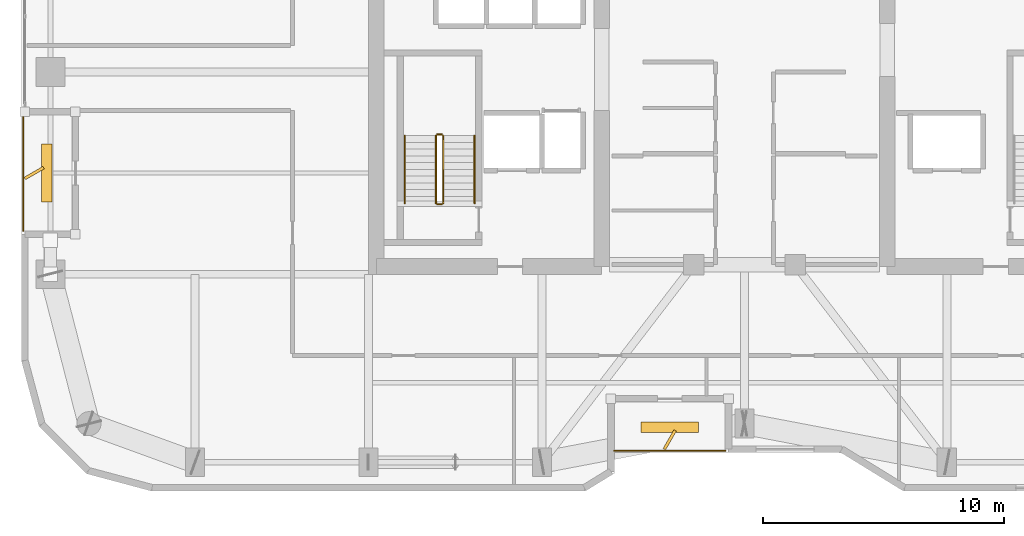
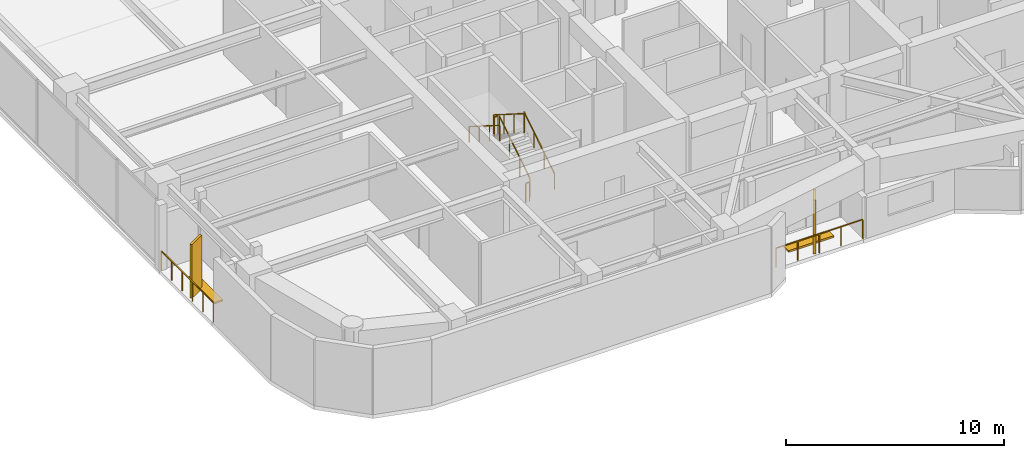
# One storey, part 28 of 30: 8 railings, 4 shading devices.
"""IFC4 building model written with IfcOpenShell, lengths in metres."""

from ifc_helpers import new_model, si_unit, direction, frame, origin, origin_2d, place, context, subcontext, project, spatial, rectangle, extrude, material, type_object, element, save


model = new_model("IFC4")

# Units and contexts
model_context = context("Model", 3, precision=1e-05, world=origin(), true_north=direction((0.0, 1.0)))
body_context = subcontext(model_context, "Body", "Model", "MODEL_VIEW")
ifc_project = project(units=[si_unit("LENGTHUNIT", "METRE"), si_unit("AREAUNIT", "SQUARE_METRE"), si_unit("VOLUMEUNIT", "CUBIC_METRE"), si_unit("PLANEANGLEUNIT", "RADIAN"), si_unit("MASSUNIT", "GRAM", prefix="KILO")], contexts=[model_context])

# Site, building, storey
site_placement = place(None, origin())
site = spatial("IfcSite", under=ifc_project, at=site_placement, CompositionType="ELEMENT")
building_placement = place(site_placement, origin())
building = spatial("IfcBuilding", under=site, at=building_placement, Name="Kiyonajd Concourse Tower", CompositionType="ELEMENT")
storey_placement = place(building_placement, frame((0.0, 0.0, 198.0)))
storey = spatial("IfcBuildingStorey", under=building, at=storey_placement, Name="L50", CompositionType="ELEMENT", Elevation=198.0)

# Railings
ifc_material_1 = material(Name="Thermally Broken Anodised Aluminium", Category="aluminium")
railing_type_1 = type_object("IfcRailingType", Name="RL-GRD-LOG", PredefinedType="GUARDRAIL", material=ifc_material_1)
railing_1_placement = place(storey_placement, frame((42.60009765625, 20.280029296875, 0.0)))
element("IfcRailing", 1, at=railing_1_placement, inside=storey, type_object=railing_type_1, Name="L50 Engawa Loggia Perimeter Guard LOG-S", PredefinedType="GUARDRAIL", context=body_context, shape_type="SweptSolid", body=[
    extrude(rectangle(XDim=0.048095703125, YDim=0.048095703125, at=origin_2d()), frame((0.0, 0.0, 1.076171875), z_axis=(1.0, 0.0, 0.0), x_axis=(0.0, 1.0, 0.0)), (0.0, 0.0, 1.0), 4.599853515625),
    extrude(rectangle(XDim=0.0419921875, YDim=0.0419921875, at=origin_2d()), origin(), (0.0, 0.0, 1.0), 1.052001953125),
    extrude(rectangle(XDim=0.0419921875, YDim=0.0419921875, at=origin_2d()), frame((1.14990234375, 0.0, 0.0)), (0.0, 0.0, 1.0), 1.052001953125),
    extrude(rectangle(XDim=0.0419921875, YDim=0.0419921875, at=origin_2d()), frame((2.2998046875, 0.0, 0.0)), (0.0, 0.0, 1.0), 1.052001953125),
    extrude(rectangle(XDim=0.0419921875, YDim=0.0419921875, at=origin_2d()), frame((3.449951171875, 0.0, 0.0)), (0.0, 0.0, 1.0), 1.052001953125),
    extrude(rectangle(XDim=0.0419921875, YDim=0.0419921875, at=origin_2d()), frame((4.599853515625, 0.0, 0.0)), (0.0, 0.0, 1.0), 1.052001953125),
])
railing_2_placement = place(storey_placement, frame((18.080078125, 34.199951171875, 0.0)))
element("IfcRailing", 2, at=railing_2_placement, inside=storey, type_object=railing_type_1, Name="L50 Engawa Loggia Perimeter Guard LOG-W", PredefinedType="GUARDRAIL", context=body_context, shape_type="SweptSolid", body=[
    extrude(rectangle(XDim=0.048095703125, YDim=0.048095703125, at=origin_2d()), frame((0.0, 0.0, 1.076171875), z_axis=(0.0, -1.0, 0.0), x_axis=(1.0, 0.0, 0.0)), (0.0, 0.0, 1.0), 4.800048828125),
    extrude(rectangle(XDim=0.0419921875, YDim=0.0419921875, at=origin_2d()), origin(), (0.0, 0.0, 1.0), 1.052001953125),
    extrude(rectangle(XDim=0.0419921875, YDim=0.0419921875, at=origin_2d()), frame((0.0, -0.9599609375, 0.0)), (0.0, 0.0, 1.0), 1.052001953125),
    extrude(rectangle(XDim=0.0419921875, YDim=0.0419921875, at=origin_2d()), frame((0.0, -1.919921875, 0.0)), (0.0, 0.0, 1.0), 1.052001953125),
    extrude(rectangle(XDim=0.0419921875, YDim=0.0419921875, at=origin_2d()), frame((0.0, -2.880126953125, 0.0)), (0.0, 0.0, 1.0), 1.052001953125),
    extrude(rectangle(XDim=0.0419921875, YDim=0.0419921875, at=origin_2d()), frame((0.0, -3.840087890625, 0.0)), (0.0, 0.0, 1.0), 1.052001953125),
    extrude(rectangle(XDim=0.0419921875, YDim=0.0419921875, at=origin_2d()), frame((0.0, -4.800048828125, 0.0)), (0.0, 0.0, 1.0), 1.052001953125),
])
ifc_material_2 = material(Name="Steel ASTM A500 Grade C", Category="steel")
railing_type_2 = type_object("IfcRailingType", Name="RL-GRD-STR", PredefinedType="GUARDRAIL", material=ifc_material_2)
railing_3_placement = place(storey_placement, frame((35.5, 30.550048828125, 0.17724609375)))
element("IfcRailing", 3, at=railing_3_placement, inside=storey, type_object=railing_type_2, Name="L50 ST1 stair guard 1", PredefinedType="GUARDRAIL", context=body_context, shape_type="SweptSolid", body=[
    extrude(rectangle(XDim=0.048095703125, YDim=0.048095703125, at=origin_2d()), frame((0.0, 0.0, 1.076171875), z_axis=(0.0, 0.844908973607, 0.534910110503), x_axis=(-1.0, 0.0, 0.0)), (0.0, 0.0, 1.0), 3.31396484375),
    extrude(rectangle(XDim=0.0419921875, YDim=0.0419921875, at=origin_2d()), origin(), (0.0, 0.0, 1.0), 1.052001953125),
    extrude(rectangle(XDim=0.0419921875, YDim=0.0419921875, at=origin_2d()), frame((0.0, 0.933349609375, 0.5908203125)), (0.0, 0.0, 1.0), 1.052001953125),
    extrude(rectangle(XDim=0.0419921875, YDim=0.0419921875, at=origin_2d()), frame((0.0, 1.86669921875, 1.181884765625)), (0.0, 0.0, 1.0), 1.052001953125),
    extrude(rectangle(XDim=0.0419921875, YDim=0.0419921875, at=origin_2d()), frame((0.0, 2.800048828125, 1.772705078125)), (0.0, 0.0, 1.0), 1.052001953125),
])
railing_4_placement = place(storey_placement, frame((35.449951171875, 33.39990234375, 1.949951171875)))
element("IfcRailing", 4, at=railing_4_placement, inside=storey, type_object=railing_type_2, Name="L50 ST1 stair guard 2", PredefinedType="GUARDRAIL", context=body_context, shape_type="SweptSolid", body=[
    extrude(rectangle(XDim=0.048095703125, YDim=0.048095703125, at=origin_2d()), frame((0.0, 0.0, 1.076171875), z_axis=(-1.0, 0.0, 0.0), x_axis=(0.0, -1.0, 0.0)), (0.0, 0.0, 1.0), 0.199951171875),
    extrude(rectangle(XDim=0.0419921875, YDim=0.0419921875, at=origin_2d()), origin(), (0.0, 0.0, 1.0), 1.052001953125),
    extrude(rectangle(XDim=0.0419921875, YDim=0.0419921875, at=origin_2d()), frame((-0.199951171875, 0.0, 0.0)), (0.0, 0.0, 1.0), 1.052001953125),
])
railing_5_placement = place(storey_placement, frame((35.199951171875, 33.35009765625, 2.127197265625)))
element("IfcRailing", 5, at=railing_5_placement, inside=storey, type_object=railing_type_2, Name="L50 ST1 stair guard 3", PredefinedType="GUARDRAIL", context=body_context, shape_type="SweptSolid", body=[
    extrude(rectangle(XDim=0.048095703125, YDim=0.048095703125, at=origin_2d()), frame((0.0, 0.0, 1.076171875), z_axis=(0.0, -0.844908973607, 0.534910110503), x_axis=(1.0, 0.0, 0.0)), (0.0, 0.0, 1.0), 3.31396484375),
    extrude(rectangle(XDim=0.0419921875, YDim=0.0419921875, at=origin_2d()), origin(), (0.0, 0.0, 1.0), 1.052001953125),
    extrude(rectangle(XDim=0.0419921875, YDim=0.0419921875, at=origin_2d()), frame((0.0, -0.933349609375, 0.5908203125)), (0.0, 0.0, 1.0), 1.052001953125),
    extrude(rectangle(XDim=0.0419921875, YDim=0.0419921875, at=origin_2d()), frame((0.0, -1.86669921875, 1.181884765625)), (0.0, 0.0, 1.0), 1.052001953125),
    extrude(rectangle(XDim=0.0419921875, YDim=0.0419921875, at=origin_2d()), frame((0.0, -2.800048828125, 1.772705078125)), (0.0, 0.0, 1.0), 1.052001953125),
])
railing_6_placement = place(storey_placement, frame((35.449951171875, 30.5, 0.0)))
element("IfcRailing", 6, at=railing_6_placement, inside=storey, type_object=railing_type_2, Name="L50 ST1 stair guard 4", PredefinedType="GUARDRAIL", context=body_context, shape_type="SweptSolid", body=[
    extrude(rectangle(XDim=0.048095703125, YDim=0.048095703125, at=origin_2d()), frame((0.0, 0.0, 1.076171875), z_axis=(-1.0, 0.0, 0.0), x_axis=(0.0, -1.0, 0.0)), (0.0, 0.0, 1.0), 0.199951171875),
    extrude(rectangle(XDim=0.0419921875, YDim=0.0419921875, at=origin_2d()), origin(), (0.0, 0.0, 1.0), 1.052001953125),
    extrude(rectangle(XDim=0.0419921875, YDim=0.0419921875, at=origin_2d()), frame((-0.199951171875, 0.0, 0.0)), (0.0, 0.0, 1.0), 1.052001953125),
])
ifc_material_3 = material(Name="Brushed Stainless Steel Cab Assembly", Category="steel")
railing_type_3 = type_object("IfcRailingType", Name="RL-HND-900", PredefinedType="HANDRAIL", material=ifc_material_3)
railing_7_placement = place(storey_placement, frame((36.800048828125, 30.550048828125, 0.17724609375)))
element("IfcRailing", 7, at=railing_7_placement, inside=storey, type_object=railing_type_3, Name="L50 ST1 stair handrail 1", PredefinedType="HANDRAIL", context=body_context, shape_type="SweptSolid", body=[
    extrude(rectangle(XDim=0.048095703125, YDim=0.048095703125, at=origin_2d()), frame((0.0, 0.0, 0.8759765625), z_axis=(0.0, 0.844908973607, 0.534910110503), x_axis=(-1.0, 0.0, 0.0)), (0.0, 0.0, 1.0), 3.31396484375),
    extrude(rectangle(XDim=0.0419921875, YDim=0.0419921875, at=origin_2d()), origin(), (0.0, 0.0, 1.0), 0.851806640625),
    extrude(rectangle(XDim=0.0419921875, YDim=0.0419921875, at=origin_2d()), frame((0.0, 0.933349609375, 0.5908203125)), (0.0, 0.0, 1.0), 0.851806640625),
    extrude(rectangle(XDim=0.0419921875, YDim=0.0419921875, at=origin_2d()), frame((0.0, 1.86669921875, 1.181884765625)), (0.0, 0.0, 1.0), 0.851806640625),
    extrude(rectangle(XDim=0.0419921875, YDim=0.0419921875, at=origin_2d()), frame((0.0, 2.800048828125, 1.772705078125)), (0.0, 0.0, 1.0), 0.851806640625),
])
railing_8_placement = place(storey_placement, frame((33.89990234375, 33.35009765625, 2.127197265625)))
element("IfcRailing", 8, at=railing_8_placement, inside=storey, type_object=railing_type_3, Name="L50 ST1 stair handrail 2", PredefinedType="HANDRAIL", context=body_context, shape_type="SweptSolid", body=[
    extrude(rectangle(XDim=0.048095703125, YDim=0.048095703125, at=origin_2d()), frame((0.0, 0.0, 0.8759765625), z_axis=(0.0, -0.844908973607, 0.534910110503), x_axis=(1.0, 0.0, 0.0)), (0.0, 0.0, 1.0), 3.31396484375),
    extrude(rectangle(XDim=0.0419921875, YDim=0.0419921875, at=origin_2d()), origin(), (0.0, 0.0, 1.0), 0.851806640625),
    extrude(rectangle(XDim=0.0419921875, YDim=0.0419921875, at=origin_2d()), frame((0.0, -0.933349609375, 0.5908203125)), (0.0, 0.0, 1.0), 0.851806640625),
    extrude(rectangle(XDim=0.0419921875, YDim=0.0419921875, at=origin_2d()), frame((0.0, -1.86669921875, 1.181884765625)), (0.0, 0.0, 1.0), 0.851806640625),
    extrude(rectangle(XDim=0.0419921875, YDim=0.0419921875, at=origin_2d()), frame((0.0, -2.800048828125, 1.772705078125)), (0.0, 0.0, 1.0), 0.851806640625),
])

# Shading devices
ifc_material_4 = material(Name="Precast concrete C50/60", Category="concrete")
shading_device_type_1 = type_object("IfcShadingDeviceType", Name="SH-FIN-900", PredefinedType="USERDEFINED", material=ifc_material_4)
for number, where, z_axis, x_axis, name in (
    (9, (44.89990234375, 20.72998046875, 0.0), (0.0, 0.0, 1.0), (0.5, 0.866025403784, 0.0), "L50 Angled Koshi Solar Fin LOG-S"),
    (10, (18.530029296875, 31.800048828125, 0.0), (0.0, 0.0, 1.0), (0.866025403784, 0.5, 0.0), "L50 Angled Koshi Solar Fin LOG-W"),
):
    element("IfcShadingDevice", number, at=place(storey_placement, frame(where, z_axis=z_axis, x_axis=x_axis)), inside=storey, type_object=shading_device_type_1, Name=name, ObjectType="FIN", PredefinedType="USERDEFINED", context=body_context, shape_type="SweptSolid", body=[
        extrude(rectangle(XDim=0.89990234375, YDim=0.1201171875, at=origin_2d()), origin(), (0.0, 0.0, 1.0), 3.0),
    ])
shading_device_type_2 = type_object("IfcShadingDeviceType", Name="SH-LVR-600", PredefinedType="JALOUSIE", material=ifc_material_1)
for number, where, z_axis, x_axis, name in (
    (11, (44.89990234375, 21.25, 0.0), (0.0, 0.0, 1.0), (1.0, 0.0, 0.0), "L50 Loggia Threshold Louver LOG-S"),
    (12, (19.050048828125, 31.800048828125, 0.0), (0.0, 0.0, 1.0), (0.0, 1.0, 0.0), "L50 Loggia Threshold Louver LOG-W"),
):
    element("IfcShadingDevice", number, at=place(storey_placement, frame(where, z_axis=z_axis, x_axis=x_axis)), inside=storey, type_object=shading_device_type_2, Name=name, PredefinedType="JALOUSIE", context=body_context, shape_type="SweptSolid", body=[
        extrude(rectangle(XDim=2.39990234375, YDim=0.449951171875, at=origin_2d()), origin(), (0.0, 0.0, 1.0), 0.10009765625),
    ])

save(model, "model.ifc")
